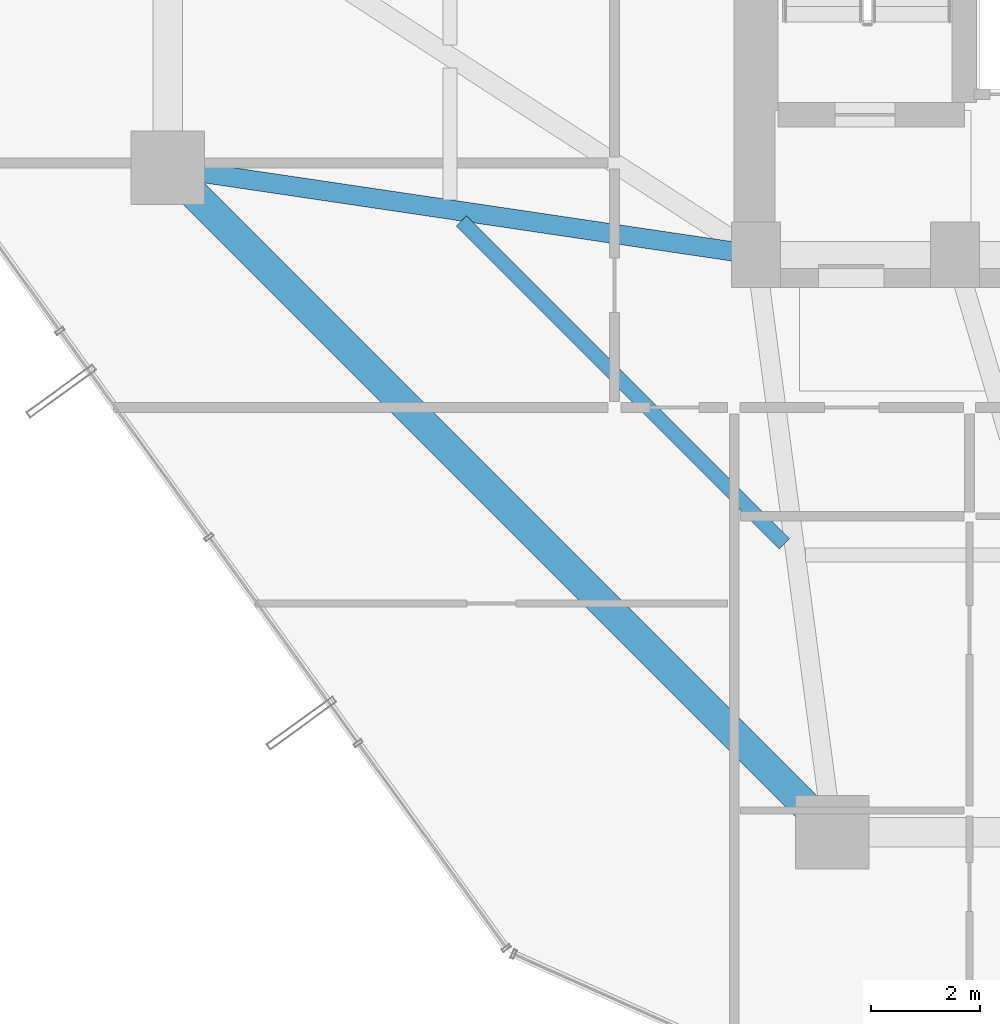
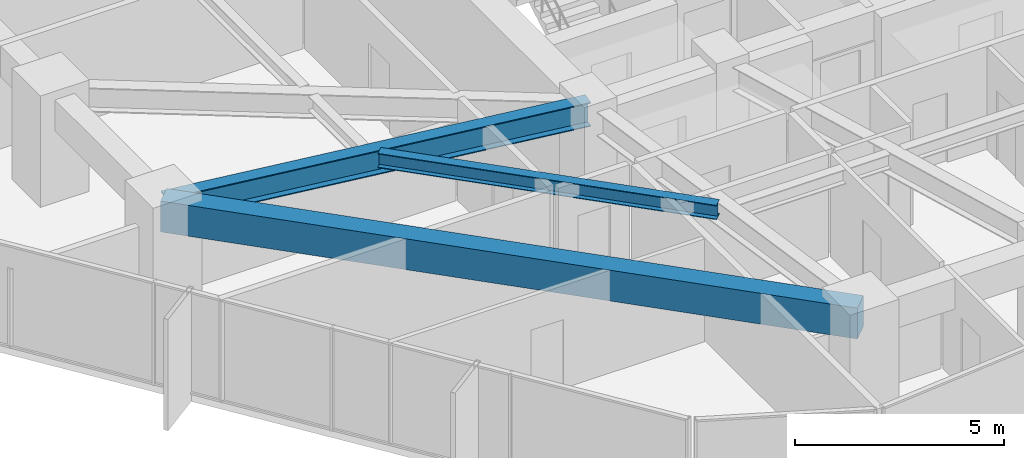
# One storey, part 5 of 37: 3 beams.
"""IFC4 building model written with IfcOpenShell, lengths in metres."""

from ifc_helpers import new_model, si_unit, direction, frame, origin, origin_2d, place, context, subcontext, project, spatial, rectangle, i_section, extrude, material, material_profile, profile_set, type_object, element, save


model = new_model("IFC4")

# Units and contexts
model_context = context("Model", 3, precision=1e-05, world=origin(), true_north=direction((0.0, 1.0)))
body_context = subcontext(model_context, "Body", "Model", "MODEL_VIEW")
ifc_project = project(units=[si_unit("LENGTHUNIT", "METRE"), si_unit("AREAUNIT", "SQUARE_METRE"), si_unit("VOLUMEUNIT", "CUBIC_METRE"), si_unit("PLANEANGLEUNIT", "RADIAN"), si_unit("MASSUNIT", "GRAM", prefix="KILO")], contexts=[model_context])

# Site, building, storey
site_placement = place(None, origin())
site = spatial("IfcSite", under=ifc_project, at=site_placement, CompositionType="ELEMENT")
building_placement = place(site_placement, origin())
building = spatial("IfcBuilding", under=site, at=building_placement, Name="Veraguas Prism Commons", CompositionType="ELEMENT")
storey_placement = place(building_placement, frame((0.0, 0.0, 43.550048828125)))
storey = spatial("IfcBuildingStorey", under=building, at=storey_placement, Name="L11", CompositionType="ELEMENT", Elevation=43.550048828125)

# Beams
ifc_material_1 = material(Name="Steel ASTM A992 Grade 50", Category="steel")
ifc_material_profile_1 = material_profile(ifc_material_1, i_section(OverallWidth=0.260986328125, OverallDepth=0.419921875, WebThickness=0.01171875, FlangeThickness=0.019287109375, at=origin_2d()), Name="W410X114")
ifc_profile_set_1 = profile_set([ifc_material_profile_1], Name="Steel ASTM A992 Grade 50")
beam_type_1 = type_object("IfcBeamType", Name="Lower Floor Joist W410x114", PredefinedType="JOIST", material=ifc_profile_set_1)
beam_1_placement = place(storey_placement, frame((11.79296875, 17.623046875, 2.7900390625), z_axis=(0.707092226423, -0.70712133565, 0.0), x_axis=(0.70712133565, 0.707092226423, 0.0)))
element("IfcBeam", 1, at=beam_1_placement, inside=storey, type_object=beam_type_1, Name="Composite Floor Joist L11-JS09", PredefinedType="JOIST", context=body_context, shape_type="SweptSolid", body=[
    extrude(i_section(OverallWidth=0.260986328125, OverallDepth=0.419921875, WebThickness=0.01171875, FlangeThickness=0.019287109375, at=origin_2d()), origin(), (0.0, 0.0, 1.0), 8.386962890625),
])
ifc_material_2 = material(Name="Concrete C50/60", Category="concrete")
ifc_material_profile_2 = material_profile(ifc_material_2, rectangle(XDim=0.550048828125, YDim=0.89990234375, at=origin_2d()), Name="RC550X900")
ifc_profile_set_2 = profile_set([ifc_material_profile_2], Name="Concrete C50/60")
beam_type_2 = type_object("IfcBeamType", Name="Perimeter Spandrel Lower RC 550x900", PredefinedType="SPANDREL", material=ifc_profile_set_2)
beam_2_placement = place(storey_placement, frame((6.39990234375, 18.60009765625, 2.550048828125), z_axis=(0.707106781187, -0.707106781187, 0.0), x_axis=(0.707106781187, 0.707106781187, 0.0)))
element("IfcBeam", 2, at=beam_2_placement, inside=storey, type_object=beam_type_2, Name="Perimeter Spandrel Beam L11-SP09", PredefinedType="SPANDREL", context=body_context, shape_type="SweptSolid", body=[
    extrude(rectangle(XDim=0.550048828125, YDim=0.89990234375, at=origin_2d()), origin(), (0.0, 0.0, 1.0), 17.253662109375),
])
ifc_material_profile_3 = material_profile(ifc_material_1, i_section(OverallWidth=0.35595703125, OverallDepth=0.700927734375, WebThickness=0.016845703125, FlangeThickness=0.02734375, at=origin_2d()), Name="W690X240")
ifc_profile_set_3 = profile_set([ifc_material_profile_3], Name="Steel ASTM A992 Grade 50")
beam_type_3 = type_object("IfcBeamType", Name="Zone 1 Radial Girder W690x240", PredefinedType="BEAM", material=ifc_profile_set_3)
beam_3_placement = place(storey_placement, frame((6.39990234375, 18.60009765625, 2.6494140625), z_axis=(0.989202261707, -0.146556765224, 0.0), x_axis=(0.146556765224, 0.989202261707, 0.0)))
element("IfcBeam", 3, at=beam_3_placement, inside=storey, type_object=beam_type_3, Name="Radial Floor Girder L11-RD09", PredefinedType="BEAM", context=body_context, shape_type="SweptSolid", body=[
    extrude(i_section(OverallWidth=0.35595703125, OverallDepth=0.700927734375, WebThickness=0.016845703125, FlangeThickness=0.02734375, at=origin_2d()), origin(), (0.0, 0.0, 1.0), 10.91796875),
])

save(model, "model.ifc")
